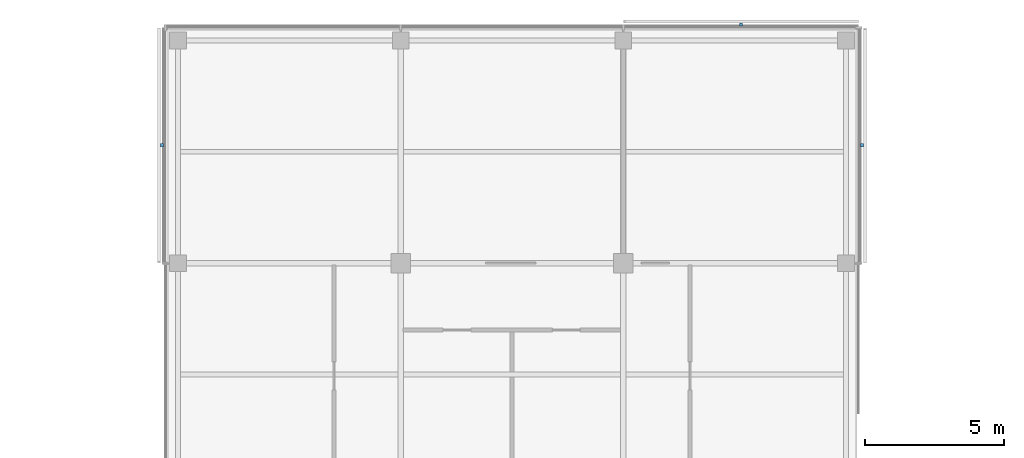
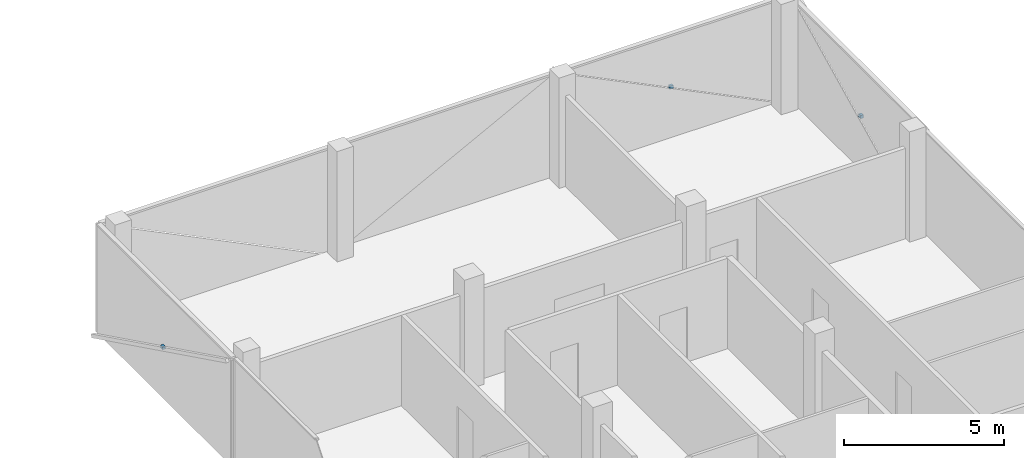
# One storey, part 15 of 16: 3 discrete accessories.
"""IFC4 building model written with IfcOpenShell, lengths in metres."""

from ifc_helpers import new_model, si_unit, direction, frame, origin, origin_2d, place, context, subcontext, project, spatial, rectangle, extrude, material, type_object, element, save


model = new_model("IFC4")

# Units and contexts
model_context = context("Model", 3, precision=1e-05, world=origin(), true_north=direction((0.0, 1.0)))
body_context = subcontext(model_context, "Body", "Model", "MODEL_VIEW")
ifc_project = project(units=[si_unit("LENGTHUNIT", "METRE"), si_unit("AREAUNIT", "SQUARE_METRE"), si_unit("VOLUMEUNIT", "CUBIC_METRE"), si_unit("PLANEANGLEUNIT", "RADIAN"), si_unit("MASSUNIT", "GRAM", prefix="KILO")], contexts=[model_context])

# Site, building, storey
site_placement = place(None, origin())
site = spatial("IfcSite", under=ifc_project, at=site_placement, CompositionType="ELEMENT")
building_placement = place(site_placement, origin())
building = spatial("IfcBuilding", under=site, at=building_placement, Name="Crosswind Convention Tower", CompositionType="ELEMENT")
storey_placement = place(building_placement, frame((0.0, 0.0, 278.699951171875)))
storey = spatial("IfcBuildingStorey", under=building, at=storey_placement, Name="L60", CompositionType="ELEMENT", Elevation=278.699951171875)

# Discrete accessories
ifc_material = material(Name="Stainless steel", Category="steel")
discrete_accessory_type = type_object("IfcDiscreteAccessoryType", Name="BAGUETTE BRACKET BK3", PredefinedType="BRACKET", material=ifc_material)
for number, where, z_axis, x_axis, name in (
    (1, (137.575927734375, 124.22998046875, 1.705078125), (0.0, 0.0, 1.0), (0.0, 1.0, 0.0), "BK3 baguette bracket"),
    (2, (133.22998046875, 128.575927734375, 1.705078125), (0.0, 0.0, 1.0), (-1.0, 0.0, 0.0), "BK3 baguette bracket"),
    (3, (112.424072265625, 124.22998046875, 1.705078125), (0.0, 0.0, 1.0), (0.0, -1.0, 0.0), "BK3 baguette bracket"),
):
    element("IfcDiscreteAccessory", number, at=place(storey_placement, frame(where, z_axis=z_axis, x_axis=x_axis)), inside=storey, type_object=discrete_accessory_type, Name=name, PredefinedType="BRACKET", context=body_context, shape_type="SweptSolid", body=[
        extrude(rectangle(XDim=0.1201171875, YDim=0.10009765625, at=origin_2d()), origin(), (0.0, 0.0, 1.0), 0.1201171875),
    ])

save(model, "model.ifc")
